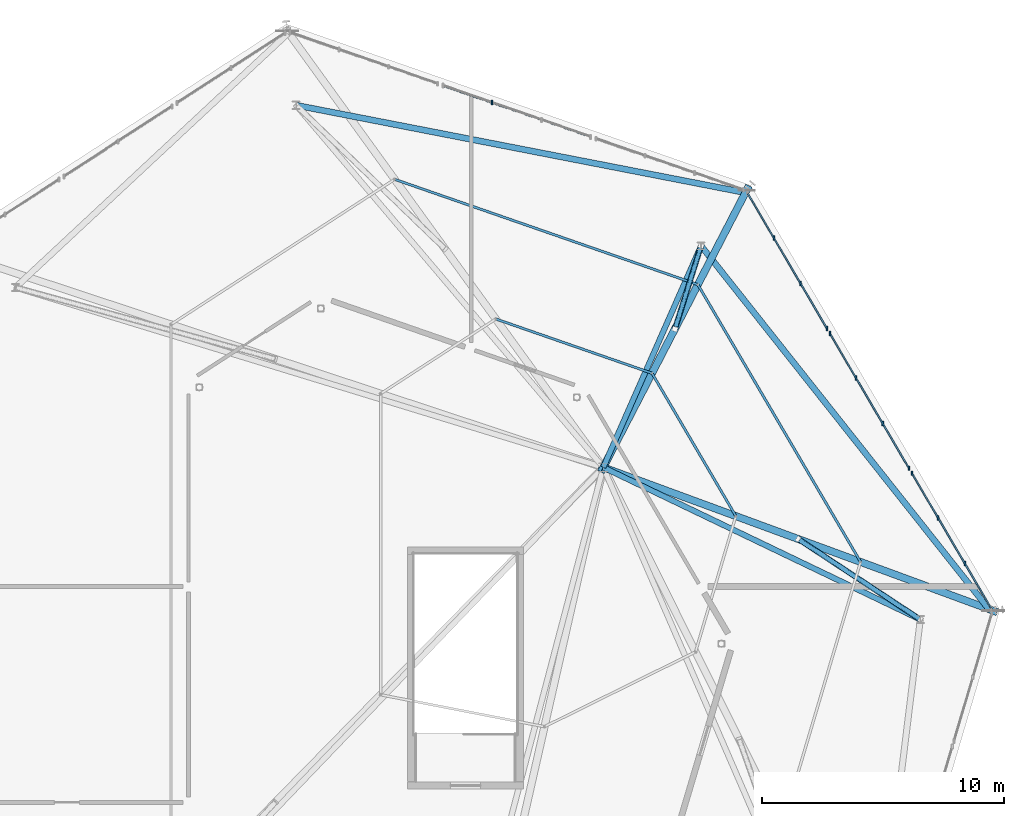
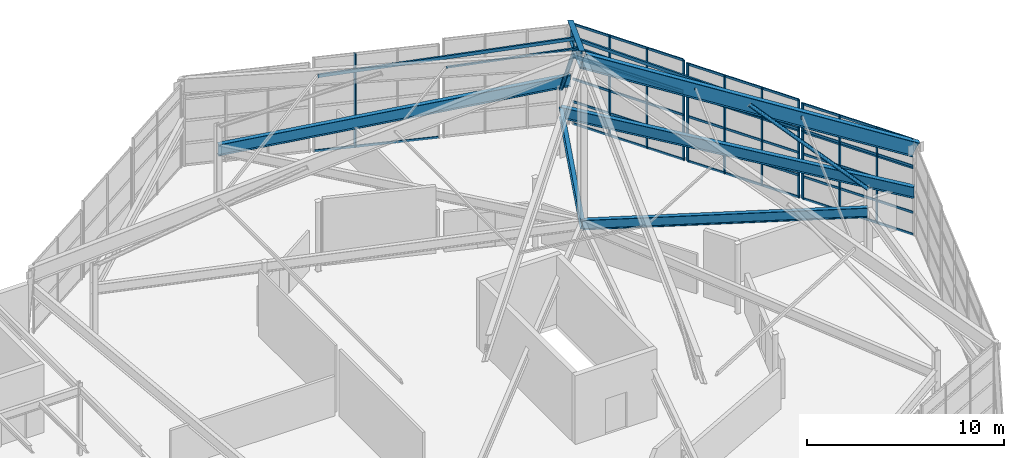
# One storey, part 20 of 50: 47 members, 6 beams, 8 elements without a shape of their own.
"""IFC4 building model written with IfcOpenShell, lengths in metres."""

from ifc_helpers import new_model, si_unit, direction, frame, origin, origin_2d, place, context, subcontext, project, spatial, rectangle, hollow_rectangle, hollow_circle, i_section, extrude, material, material_profile, profile_set, type_object, element, aggregate, save


model = new_model("IFC4")

# Units and contexts
model_context = context("Model", 3, precision=1e-05, world=origin(), true_north=direction((0.0, 1.0)))
body_context = subcontext(model_context, "Body", "Model", "MODEL_VIEW")
ifc_project = project(units=[si_unit("LENGTHUNIT", "METRE"), si_unit("AREAUNIT", "SQUARE_METRE"), si_unit("VOLUMEUNIT", "CUBIC_METRE"), si_unit("PLANEANGLEUNIT", "RADIAN"), si_unit("MASSUNIT", "GRAM", prefix="KILO")], contexts=[model_context])

# Site, building, storey
site_placement = place(None, origin())
site = spatial("IfcSite", under=ifc_project, at=site_placement, CompositionType="ELEMENT")
building_placement = place(site_placement, origin())
building = spatial("IfcBuilding", under=site, at=building_placement, Name="Sarnbrook Museum", CompositionType="ELEMENT")
storey_placement = place(building_placement, frame((0.0, 0.0, 28.10009765625)))
storey = spatial("IfcBuildingStorey", under=building, at=storey_placement, Name="L05", CompositionType="ELEMENT", Elevation=28.10009765625)

# Beams
ifc_material_1 = material(Name="Structural Steel Grade 300PLUS (AS/NZS 3679.1, fy = 280 MPa for 17 < t <= 40 mm, 300 MPa for t <= 17 mm)", Category="steel")
ifc_material_profile_1 = material_profile(ifc_material_1, i_section(OverallWidth=0.22802734375, OverallDepth=0.60693359375, WebThickness=0.01123046875, FlangeThickness=0.017333984375, FilletRadius=0.013916015625, at=origin_2d()), Name="610UB113")
ifc_profile_set_1 = profile_set([ifc_material_profile_1], Name="Structural Steel Grade 300PLUS (AS/NZS 3679.1, fy = 280 MPa for 17 < t <= 40 mm, 300 MPa for t <= 17 mm)")
beam_type_1 = type_object("IfcBeamType", Name="BM-UB610", PredefinedType="BEAM", material=ifc_profile_set_1)
beam_1_placement = place(storey_placement, frame((162.606689453125, 87.21044921875, 2.75), z_axis=(-0.90156760284, 0.43263825248, 0.0), x_axis=(-0.43263825248, -0.90156760284, 0.0)))
element("IfcBeam", 1, at=beam_1_placement, inside=storey, type_object=beam_type_1, Name="Crystal Roof Hub Tie Girder ST-4", PredefinedType="BEAM", context=body_context, shape_type="SweptSolid", body=[
    extrude(i_section(OverallWidth=0.22802734375, OverallDepth=0.60693359375, WebThickness=0.01123046875, FlangeThickness=0.017333984375, FilletRadius=0.013916015625, at=origin_2d()), origin(), (0.0, 0.0, 1.0), 14.53759765625),
])
beam_2_placement = place(storey_placement, frame((153.543701171875, 102.656982421875, 2.75), z_axis=(-0.403962631013, -0.914775487617, 0.0), x_axis=(0.914775487617, -0.403962631013, 0.0)))
element("IfcBeam", 2, at=beam_2_placement, inside=storey, type_object=beam_type_1, Name="Crystal Roof Hub Tie Girder ST-5", PredefinedType="BEAM", context=body_context, shape_type="SweptSolid", body=[
    extrude(i_section(OverallWidth=0.22802734375, OverallDepth=0.60693359375, WebThickness=0.01123046875, FlangeThickness=0.017333984375, FilletRadius=0.013916015625, at=origin_2d()), origin(), (0.0, 0.0, 1.0), 10.010009765625),
])
ifc_material_2 = material(Name="Structural Steel Grade 350L0 (AS/NZS 3678, fy = 340 MPa for 20 < t <= 40 mm)", Category="steel")
ifc_material_profile_2 = material_profile(ifc_material_2, i_section(OverallWidth=0.25, OverallDepth=0.699951171875, WebThickness=0.010009765625, FlangeThickness=0.01611328125, at=origin_2d()), Name="700WB130")
ifc_profile_set_2 = profile_set([ifc_material_profile_2], Name="Structural Steel Grade 350L0 (AS/NZS 3678, fy = 340 MPa for 20 < t <= 40 mm)")
beam_type_2 = type_object("IfcBeamType", Name="BM-WB700", PredefinedType="BEAM", material=ifc_profile_set_2)
beam_3_placement = place(storey_placement, frame((165.50244140625, 87.5625, 2.75), z_axis=(-0.620988332557, 0.783819807627, 0.0), x_axis=(-0.783819807627, -0.620988332557, 0.0)))
element("IfcBeam", 3, at=beam_3_placement, inside=storey, type_object=beam_type_2, Name="Crystal Roof Eaves Tie Girder ST-4", PredefinedType="BEAM", context=body_context, shape_type="SweptSolid", body=[
    extrude(i_section(OverallWidth=0.25, OverallDepth=0.699951171875, WebThickness=0.010009765625, FlangeThickness=0.01611328125, at=origin_2d()), origin(), (0.0, 0.0, 1.0), 19.257568359375),
])
beam_4_placement = place(storey_placement, frame((155.352783203125, 104.861328125, 2.75), z_axis=(-0.981601131832, 0.190942970508, 0.0), x_axis=(-0.190942970508, -0.981601131832, 0.0)))
element("IfcBeam", 4, at=beam_4_placement, inside=storey, type_object=beam_type_2, Name="Crystal Roof Eaves Tie Girder ST-5", PredefinedType="BEAM", context=body_context, shape_type="SweptSolid", body=[
    extrude(i_section(OverallWidth=0.25, OverallDepth=0.699951171875, WebThickness=0.010009765625, FlangeThickness=0.01611328125, at=origin_2d()), origin(), (0.0, 0.0, 1.0), 18.896484375),
])
ifc_material_profile_3 = material_profile(ifc_material_2, i_section(OverallWidth=0.300048828125, OverallDepth=0.89990234375, WebThickness=0.011962890625, FlangeThickness=0.02001953125, at=origin_2d()), Name="900WB175")
ifc_profile_set_3 = profile_set([ifc_material_profile_3], Name="Structural Steel Grade 350L0 (AS/NZS 3678, fy = 340 MPa for 20 < t <= 40 mm)")
beam_type_3 = type_object("IfcBeamType", Name="BM-WB900", PredefinedType="BEAM", material=ifc_profile_set_3)
beam_5_placement = place(storey_placement, frame((165.616455078125, 87.576416015625, 5.369873046875), z_axis=(-0.859214751386, 0.315803364684, 0.402514901407), x_axis=(-0.344984411571, -0.938608414501, 0.0)))
element("IfcBeam", 5, at=beam_5_placement, inside=storey, type_object=beam_type_3, Name="Crystal Sawtooth Roof Rafter ST-4", PredefinedType="BEAM", context=body_context, shape_type="SweptSolid", body=[
    extrude(i_section(OverallWidth=0.300048828125, OverallDepth=0.89990234375, WebThickness=0.011962890625, FlangeThickness=0.02001953125, at=origin_2d()), origin(), (0.0, 0.0, 1.0), 18.757080078125),
])
beam_6_placement = place(storey_placement, frame((155.423828125, 104.9482421875, 5.81982421875), z_axis=(-0.402538976369, -0.777936765573, 0.482469440766), x_axis=(0.888144074129, -0.459565124428, 0.0)))
element("IfcBeam", 6, at=beam_6_placement, inside=storey, type_object=beam_type_3, Name="Crystal Sawtooth Roof Rafter ST-5", PredefinedType="BEAM", context=body_context, shape_type="SweptSolid", body=[
    extrude(i_section(OverallWidth=0.300048828125, OverallDepth=0.89990234375, WebThickness=0.011962890625, FlangeThickness=0.02001953125, at=origin_2d()), origin(), (0.0, 0.0, 1.0), 14.716064453125),
])

# Curtain wall, members
ifc_material_3 = material(Name="Thermally Broken Anodised Aluminium 6063-T6", Category="aluminium")
curtain_wall_type_1 = type_object("IfcCurtainWallType", Name="CurtainWall_CrystalFacet", PredefinedType="NOTDEFINED", material=ifc_material_3)
curtain_wall_1_placement = place(storey_placement, origin())
curtain_wall_1 = element("IfcCurtainWall", 7, at=curtain_wall_1_placement, inside=storey, type_object=curtain_wall_type_1, Name="Crystal Hall Facet Curtain Wall L05-F4.1", PredefinedType="NOTDEFINED")
ifc_material_profile_4 = material_profile(ifc_material_3, rectangle(XDim=0.06494140625, YDim=0.179931640625, at=origin_2d()), Name="ALU MULLION 65x180")
ifc_profile_set_4 = profile_set([ifc_material_profile_4], Name="Thermally Broken Anodised Aluminium 6063-T6")
member_type_1 = type_object("IfcMemberType", Name="CW_Mullion_180x75", PredefinedType="MULLION", material=ifc_profile_set_4)
member_1_placement = place(storey_placement, frame((164.447265625, 89.52490234375, 0.0), z_axis=(0.0, 0.0, 1.0), x_axis=(1.0, 0.0, 0.0)))
member_1 = element("IfcMember", 8, at=member_1_placement, type_object=member_type_1, Name="Crystal Hall Facet Curtain Wall L05-F4.1 Mullion 2", PredefinedType="MULLION", context=body_context, shape_type="SweptSolid", body=[
    extrude(rectangle(XDim=0.06494140625, YDim=0.179931640625, at=origin_2d()), origin(), (0.0, 0.0, 1.0), 4.199951171875),
])
member_2_placement = place(storey_placement, frame((163.3427734375, 91.407470703125, 0.0), z_axis=(0.0, 0.0, 1.0), x_axis=(1.0, 0.0, 0.0)))
member_2 = element("IfcMember", 9, at=member_2_placement, type_object=member_type_1, Name="Crystal Hall Facet Curtain Wall L05-F4.1 Mullion 3", PredefinedType="MULLION", context=body_context, shape_type="SweptSolid", body=[
    extrude(rectangle(XDim=0.06494140625, YDim=0.179931640625, at=origin_2d()), origin(), (0.0, 0.0, 1.0), 4.199951171875),
])
member_3_placement = place(storey_placement, frame((162.25830078125, 93.25537109375, 0.0), z_axis=(0.0, 0.0, 1.0), x_axis=(1.0, 0.0, 0.0)))
member_3 = element("IfcMember", 10, at=member_3_placement, type_object=member_type_1, Name="Crystal Hall Facet Curtain Wall L05-F4.1 Mullion 4", PredefinedType="MULLION", context=body_context, shape_type="SweptSolid", body=[
    extrude(rectangle(XDim=0.06494140625, YDim=0.179931640625, at=origin_2d()), origin(), (0.0, 0.0, 1.0), 4.199951171875),
])

curtain_wall_type_2 = type_object("IfcCurtainWallType", Name="CurtainWall_Sawtooth", PredefinedType="NOTDEFINED", material=ifc_material_3)
curtain_wall_2_placement = place(storey_placement, origin())
curtain_wall_2 = element("IfcCurtainWall", 11, at=curtain_wall_2_placement, inside=storey, type_object=curtain_wall_type_2, Name="Crystal Roof Folded Eaves Clerestory 5", PredefinedType="NOTDEFINED")
member_4_placement = place(storey_placement, frame((164.447265625, 89.52490234375, 4.219970703125), z_axis=(0.0, 0.0, 1.0), x_axis=(1.0, 0.0, 0.0)))
member_4 = element("IfcMember", 12, at=member_4_placement, type_object=member_type_1, Name="Crystal Roof Folded Eaves Clerestory 5 Mullion 2", PredefinedType="MULLION", context=body_context, shape_type="SweptSolid", body=[
    extrude(rectangle(XDim=0.06494140625, YDim=0.179931640625, at=origin_2d()), origin(), (0.0, 0.0, 1.0), 1.7099609375),
])
member_5_placement = place(storey_placement, frame((163.3427734375, 91.407470703125, 4.219970703125), z_axis=(0.0, 0.0, 1.0), x_axis=(1.0, 0.0, 0.0)))
member_5 = element("IfcMember", 13, at=member_5_placement, type_object=member_type_1, Name="Crystal Roof Folded Eaves Clerestory 5 Mullion 3", PredefinedType="MULLION", context=body_context, shape_type="SweptSolid", body=[
    extrude(rectangle(XDim=0.06494140625, YDim=0.179931640625, at=origin_2d()), origin(), (0.0, 0.0, 1.0), 1.7099609375),
])
member_6_placement = place(storey_placement, frame((162.25830078125, 93.25537109375, 4.219970703125), z_axis=(0.0, 0.0, 1.0), x_axis=(1.0, 0.0, 0.0)))
member_6 = element("IfcMember", 14, at=member_6_placement, type_object=member_type_1, Name="Crystal Roof Folded Eaves Clerestory 5 Mullion 4", PredefinedType="MULLION", context=body_context, shape_type="SweptSolid", body=[
    extrude(rectangle(XDim=0.06494140625, YDim=0.179931640625, at=origin_2d()), origin(), (0.0, 0.0, 1.0), 1.7099609375),
])

curtain_wall_3_placement = place(storey_placement, origin())
curtain_wall_3 = element("IfcCurtainWall", 15, at=curtain_wall_3_placement, inside=storey, type_object=curtain_wall_type_1, Name="Crystal Hall Facet Curtain Wall L05-F4.2", PredefinedType="NOTDEFINED")
member_7_placement = place(storey_placement, frame((162.136962890625, 93.46240234375, 0.0), z_axis=(0.0, 0.0, 1.0), x_axis=(1.0, 0.0, 0.0)))
member_7 = element("IfcMember", 16, at=member_7_placement, type_object=member_type_1, Name="Crystal Hall Facet Curtain Wall L05-F4.2 Mullion 1", PredefinedType="MULLION", context=body_context, shape_type="SweptSolid", body=[
    extrude(rectangle(XDim=0.06494140625, YDim=0.179931640625, at=origin_2d()), origin(), (0.0, 0.0, 1.0), 4.199951171875),
])
member_8_placement = place(storey_placement, frame((161.052734375, 95.310302734375, 0.0), z_axis=(0.0, 0.0, 1.0), x_axis=(1.0, 0.0, 0.0)))
member_8 = element("IfcMember", 17, at=member_8_placement, type_object=member_type_1, Name="Crystal Hall Facet Curtain Wall L05-F4.2 Mullion 2", PredefinedType="MULLION", context=body_context, shape_type="SweptSolid", body=[
    extrude(rectangle(XDim=0.06494140625, YDim=0.179931640625, at=origin_2d()), origin(), (0.0, 0.0, 1.0), 4.199951171875),
])
member_9_placement = place(storey_placement, frame((159.9482421875, 97.19287109375, 0.0), z_axis=(0.0, 0.0, 1.0), x_axis=(1.0, 0.0, 0.0)))
member_9 = element("IfcMember", 18, at=member_9_placement, type_object=member_type_1, Name="Crystal Hall Facet Curtain Wall L05-F4.2 Mullion 3", PredefinedType="MULLION", context=body_context, shape_type="SweptSolid", body=[
    extrude(rectangle(XDim=0.06494140625, YDim=0.179931640625, at=origin_2d()), origin(), (0.0, 0.0, 1.0), 4.199951171875),
])
member_10_placement = place(storey_placement, frame((158.864013671875, 99.040771484375, 0.0), z_axis=(0.0, 0.0, 1.0), x_axis=(1.0, 0.0, 0.0)))
member_10 = element("IfcMember", 19, at=member_10_placement, type_object=member_type_1, Name="Crystal Hall Facet Curtain Wall L05-F4.2 Mullion 4", PredefinedType="MULLION", context=body_context, shape_type="SweptSolid", body=[
    extrude(rectangle(XDim=0.06494140625, YDim=0.179931640625, at=origin_2d()), origin(), (0.0, 0.0, 1.0), 4.199951171875),
])

curtain_wall_4_placement = place(storey_placement, origin())
curtain_wall_4 = element("IfcCurtainWall", 20, at=curtain_wall_4_placement, inside=storey, type_object=curtain_wall_type_2, Name="Crystal Roof Folded Eaves Clerestory 6", PredefinedType="NOTDEFINED")
member_11_placement = place(storey_placement, frame((162.136962890625, 93.46240234375, 4.219970703125), z_axis=(0.0, 0.0, 1.0), x_axis=(1.0, 0.0, 0.0)))
member_11 = element("IfcMember", 21, at=member_11_placement, type_object=member_type_1, Name="Crystal Roof Folded Eaves Clerestory 6 Mullion 1", PredefinedType="MULLION", context=body_context, shape_type="SweptSolid", body=[
    extrude(rectangle(XDim=0.06494140625, YDim=0.179931640625, at=origin_2d()), origin(), (0.0, 0.0, 1.0), 1.85986328125),
])
member_12_placement = place(storey_placement, frame((161.052734375, 95.310302734375, 4.219970703125), z_axis=(0.0, 0.0, 1.0), x_axis=(1.0, 0.0, 0.0)))
member_12 = element("IfcMember", 22, at=member_12_placement, type_object=member_type_1, Name="Crystal Roof Folded Eaves Clerestory 6 Mullion 2", PredefinedType="MULLION", context=body_context, shape_type="SweptSolid", body=[
    extrude(rectangle(XDim=0.06494140625, YDim=0.179931640625, at=origin_2d()), origin(), (0.0, 0.0, 1.0), 1.85986328125),
])
member_13_placement = place(storey_placement, frame((159.9482421875, 97.19287109375, 4.219970703125), z_axis=(0.0, 0.0, 1.0), x_axis=(1.0, 0.0, 0.0)))
member_13 = element("IfcMember", 23, at=member_13_placement, type_object=member_type_1, Name="Crystal Roof Folded Eaves Clerestory 6 Mullion 3", PredefinedType="MULLION", context=body_context, shape_type="SweptSolid", body=[
    extrude(rectangle(XDim=0.06494140625, YDim=0.179931640625, at=origin_2d()), origin(), (0.0, 0.0, 1.0), 1.85986328125),
])
member_14_placement = place(storey_placement, frame((158.864013671875, 99.040771484375, 4.219970703125), z_axis=(0.0, 0.0, 1.0), x_axis=(1.0, 0.0, 0.0)))
member_14 = element("IfcMember", 24, at=member_14_placement, type_object=member_type_1, Name="Crystal Roof Folded Eaves Clerestory 6 Mullion 4", PredefinedType="MULLION", context=body_context, shape_type="SweptSolid", body=[
    extrude(rectangle(XDim=0.06494140625, YDim=0.179931640625, at=origin_2d()), origin(), (0.0, 0.0, 1.0), 1.85986328125),
])

curtain_wall_5_placement = place(storey_placement, origin())
curtain_wall_5 = element("IfcCurtainWall", 25, at=curtain_wall_5_placement, inside=storey, type_object=curtain_wall_type_1, Name="Crystal Hall Facet Curtain Wall L05-F4.3", PredefinedType="NOTDEFINED")
member_15_placement = place(storey_placement, frame((158.742431640625, 99.247802734375, 0.0), z_axis=(0.0, 0.0, 1.0), x_axis=(1.0, 0.0, 0.0)))
member_15 = element("IfcMember", 26, at=member_15_placement, type_object=member_type_1, Name="Crystal Hall Facet Curtain Wall L05-F4.3 Mullion 1", PredefinedType="MULLION", context=body_context, shape_type="SweptSolid", body=[
    extrude(rectangle(XDim=0.06494140625, YDim=0.179931640625, at=origin_2d()), origin(), (0.0, 0.0, 1.0), 4.199951171875),
])
member_16_placement = place(storey_placement, frame((157.658203125, 101.095703125, 0.0), z_axis=(0.0, 0.0, 1.0), x_axis=(1.0, 0.0, 0.0)))
member_16 = element("IfcMember", 27, at=member_16_placement, type_object=member_type_1, Name="Crystal Hall Facet Curtain Wall L05-F4.3 Mullion 2", PredefinedType="MULLION", context=body_context, shape_type="SweptSolid", body=[
    extrude(rectangle(XDim=0.06494140625, YDim=0.179931640625, at=origin_2d()), origin(), (0.0, 0.0, 1.0), 4.199951171875),
])
member_17_placement = place(storey_placement, frame((156.5537109375, 102.978271484375, 0.0), z_axis=(0.0, 0.0, 1.0), x_axis=(1.0, 0.0, 0.0)))
member_17 = element("IfcMember", 28, at=member_17_placement, type_object=member_type_1, Name="Crystal Hall Facet Curtain Wall L05-F4.3 Mullion 3", PredefinedType="MULLION", context=body_context, shape_type="SweptSolid", body=[
    extrude(rectangle(XDim=0.06494140625, YDim=0.179931640625, at=origin_2d()), origin(), (0.0, 0.0, 1.0), 4.199951171875),
])

curtain_wall_6_placement = place(storey_placement, origin())
curtain_wall_6 = element("IfcCurtainWall", 29, at=curtain_wall_6_placement, inside=storey, type_object=curtain_wall_type_2, Name="Crystal Roof Folded Eaves Clerestory 7", PredefinedType="NOTDEFINED")
member_18_placement = place(storey_placement, frame((158.742431640625, 99.247802734375, 4.219970703125), z_axis=(0.0, 0.0, 1.0), x_axis=(1.0, 0.0, 0.0)))
member_18 = element("IfcMember", 30, at=member_18_placement, type_object=member_type_1, Name="Crystal Roof Folded Eaves Clerestory 7 Mullion 1", PredefinedType="MULLION", context=body_context, shape_type="SweptSolid", body=[
    extrude(rectangle(XDim=0.06494140625, YDim=0.179931640625, at=origin_2d()), origin(), (0.0, 0.0, 1.0), 2.010009765625),
])
member_19_placement = place(storey_placement, frame((157.658203125, 101.095703125, 4.219970703125), z_axis=(0.0, 0.0, 1.0), x_axis=(1.0, 0.0, 0.0)))
member_19 = element("IfcMember", 31, at=member_19_placement, type_object=member_type_1, Name="Crystal Roof Folded Eaves Clerestory 7 Mullion 2", PredefinedType="MULLION", context=body_context, shape_type="SweptSolid", body=[
    extrude(rectangle(XDim=0.06494140625, YDim=0.179931640625, at=origin_2d()), origin(), (0.0, 0.0, 1.0), 2.010009765625),
])
member_20_placement = place(storey_placement, frame((156.5537109375, 102.978271484375, 4.219970703125), z_axis=(0.0, 0.0, 1.0), x_axis=(1.0, 0.0, 0.0)))
member_20 = element("IfcMember", 32, at=member_20_placement, type_object=member_type_1, Name="Crystal Roof Folded Eaves Clerestory 7 Mullion 3", PredefinedType="MULLION", context=body_context, shape_type="SweptSolid", body=[
    extrude(rectangle(XDim=0.06494140625, YDim=0.179931640625, at=origin_2d()), origin(), (0.0, 0.0, 1.0), 2.010009765625),
])

# Curtain wall, member
curtain_wall_7_placement = place(storey_placement, origin())
curtain_wall_7 = element("IfcCurtainWall", 33, at=curtain_wall_7_placement, inside=storey, type_object=curtain_wall_type_1, Name="Crystal Hall Facet Curtain Wall L05-F5.2", PredefinedType="NOTDEFINED")
member_21_placement = place(storey_placement, frame((144.892578125, 108.581298828125, 0.0), z_axis=(0.0, 0.0, 1.0), x_axis=(1.0, 0.0, 0.0)))
member_21 = element("IfcMember", 34, at=member_21_placement, type_object=member_type_1, Name="Crystal Hall Facet Curtain Wall L05-F5.2 Mullion 3", PredefinedType="MULLION", context=body_context, shape_type="SweptSolid", body=[
    extrude(rectangle(XDim=0.06494140625, YDim=0.179931640625, at=origin_2d()), origin(), (0.0, 0.0, 1.0), 4.199951171875),
])

curtain_wall_8_placement = place(storey_placement, origin())
curtain_wall_8 = element("IfcCurtainWall", 35, at=curtain_wall_8_placement, inside=storey, type_object=curtain_wall_type_2, Name="Crystal Roof Folded Eaves Clerestory 9", PredefinedType="NOTDEFINED")
member_22_placement = place(storey_placement, frame((144.892578125, 108.581298828125, 4.219970703125), z_axis=(0.0, 0.0, 1.0), x_axis=(1.0, 0.0, 0.0)))
member_22 = element("IfcMember", 36, at=member_22_placement, type_object=member_type_1, Name="Crystal Roof Folded Eaves Clerestory 9 Mullion 3", PredefinedType="MULLION", context=body_context, shape_type="SweptSolid", body=[
    extrude(rectangle(XDim=0.06494140625, YDim=0.179931640625, at=origin_2d()), origin(), (0.0, 0.0, 1.0), 1.593017578125),
])
aggregate(curtain_wall_8, [member_22])

# Member
ifc_material_profile_5 = material_profile(ifc_material_3, rectangle(XDim=0.06494140625, YDim=0.139892578125, at=origin_2d()), Name="ALU TRANSOM 65x140")
ifc_profile_set_5 = profile_set([ifc_material_profile_5], Name="Thermally Broken Anodised Aluminium 6063-T6")
member_type_2 = type_object("IfcMemberType", Name="CW_Transom_150x65", PredefinedType="USERDEFINED", material=ifc_profile_set_5)
member_23_placement = place(storey_placement, frame((165.5263671875, 87.685546875, 0.039794921875), z_axis=(-0.506068320785, 0.862493394002, 0.0), x_axis=(-0.862493394002, -0.506068320785, 0.0)))
member_23 = element("IfcMember", 37, at=member_23_placement, type_object=member_type_2, Name="Crystal Hall Facet Curtain Wall L05-F4.1 Transom 1", ObjectType="TRANSOM", PredefinedType="USERDEFINED", context=body_context, shape_type="SweptSolid", body=[
    extrude(rectangle(XDim=0.06494140625, YDim=0.139892578125, at=origin_2d()), origin(), (0.0, 0.0, 1.0), 6.447509765625),
])

member_24_placement = place(storey_placement, frame((165.5263671875, 87.685546875, 1.39990234375), z_axis=(-0.506068320785, 0.862493394002, 0.0), x_axis=(-0.862493394002, -0.506068320785, 0.0)))
member_24 = element("IfcMember", 38, at=member_24_placement, type_object=member_type_2, Name="Crystal Hall Facet Curtain Wall L05-F4.1 Transom 2", ObjectType="TRANSOM", PredefinedType="USERDEFINED", context=body_context, shape_type="SweptSolid", body=[
    extrude(rectangle(XDim=0.06494140625, YDim=0.139892578125, at=origin_2d()), origin(), (0.0, 0.0, 1.0), 6.447509765625),
])

member_25_placement = place(storey_placement, frame((165.5263671875, 87.685546875, 2.7998046875), z_axis=(-0.506068320785, 0.862493394002, 0.0), x_axis=(-0.862493394002, -0.506068320785, 0.0)))
member_25 = element("IfcMember", 39, at=member_25_placement, type_object=member_type_2, Name="Crystal Hall Facet Curtain Wall L05-F4.1 Transom 3", ObjectType="TRANSOM", PredefinedType="USERDEFINED", context=body_context, shape_type="SweptSolid", body=[
    extrude(rectangle(XDim=0.06494140625, YDim=0.139892578125, at=origin_2d()), origin(), (0.0, 0.0, 1.0), 6.447509765625),
])

member_26_placement = place(storey_placement, frame((165.5263671875, 87.685546875, 4.159912109375), z_axis=(-0.506068320785, 0.862493394002, 0.0), x_axis=(-0.862493394002, -0.506068320785, 0.0)))
member_26 = element("IfcMember", 40, at=member_26_placement, type_object=member_type_2, Name="Crystal Hall Facet Curtain Wall L05-F4.1 Transom 4", ObjectType="TRANSOM", PredefinedType="USERDEFINED", context=body_context, shape_type="SweptSolid", body=[
    extrude(rectangle(XDim=0.06494140625, YDim=0.139892578125, at=origin_2d()), origin(), (0.0, 0.0, 1.0), 6.447509765625),
])

aggregate(curtain_wall_1, [member_1, member_2, member_3, member_23, member_24, member_25, member_26])

member_27_placement = place(storey_placement, frame((165.5263671875, 87.685546875, 4.260009765625), z_axis=(-0.506068320785, 0.862493394002, 0.0), x_axis=(-0.862493394002, -0.506068320785, 0.0)))
member_27 = element("IfcMember", 41, at=member_27_placement, type_object=member_type_2, Name="Crystal Roof Folded Eaves Clerestory 5 Transom 1", ObjectType="TRANSOM", PredefinedType="USERDEFINED", context=body_context, shape_type="SweptSolid", body=[
    extrude(rectangle(XDim=0.06494140625, YDim=0.139892578125, at=origin_2d()), origin(), (0.0, 0.0, 1.0), 6.447509765625),
])

member_28_placement = place(storey_placement, frame((165.5263671875, 87.685546875, 5.889892578125), z_axis=(-0.506068320785, 0.862493394002, 0.0), x_axis=(-0.862493394002, -0.506068320785, 0.0)))
member_28 = element("IfcMember", 42, at=member_28_placement, type_object=member_type_2, Name="Crystal Roof Folded Eaves Clerestory 5 Transom 2", ObjectType="TRANSOM", PredefinedType="USERDEFINED", context=body_context, shape_type="SweptSolid", body=[
    extrude(rectangle(XDim=0.06494140625, YDim=0.139892578125, at=origin_2d()), origin(), (0.0, 0.0, 1.0), 6.447509765625),
])

aggregate(curtain_wall_2, [member_4, member_5, member_6, member_27, member_28])

member_29_placement = place(storey_placement, frame((162.1318359375, 93.470947265625, 0.039794921875), z_axis=(-0.506068320785, 0.862493394002, 0.0), x_axis=(-0.862493394002, -0.506068320785, 0.0)))
member_29 = element("IfcMember", 43, at=member_29_placement, type_object=member_type_2, Name="Crystal Hall Facet Curtain Wall L05-F4.2 Transom 1", ObjectType="TRANSOM", PredefinedType="USERDEFINED", context=body_context, shape_type="SweptSolid", body=[
    extrude(rectangle(XDim=0.06494140625, YDim=0.139892578125, at=origin_2d()), origin(), (0.0, 0.0, 1.0), 6.447509765625),
])

member_30_placement = place(storey_placement, frame((162.1318359375, 93.470947265625, 1.39990234375), z_axis=(-0.506068320785, 0.862493394002, 0.0), x_axis=(-0.862493394002, -0.506068320785, 0.0)))
member_30 = element("IfcMember", 44, at=member_30_placement, type_object=member_type_2, Name="Crystal Hall Facet Curtain Wall L05-F4.2 Transom 2", ObjectType="TRANSOM", PredefinedType="USERDEFINED", context=body_context, shape_type="SweptSolid", body=[
    extrude(rectangle(XDim=0.06494140625, YDim=0.139892578125, at=origin_2d()), origin(), (0.0, 0.0, 1.0), 6.447509765625),
])

member_31_placement = place(storey_placement, frame((162.1318359375, 93.470947265625, 2.7998046875), z_axis=(-0.506068320785, 0.862493394002, 0.0), x_axis=(-0.862493394002, -0.506068320785, 0.0)))
member_31 = element("IfcMember", 45, at=member_31_placement, type_object=member_type_2, Name="Crystal Hall Facet Curtain Wall L05-F4.2 Transom 3", ObjectType="TRANSOM", PredefinedType="USERDEFINED", context=body_context, shape_type="SweptSolid", body=[
    extrude(rectangle(XDim=0.06494140625, YDim=0.139892578125, at=origin_2d()), origin(), (0.0, 0.0, 1.0), 6.447509765625),
])

member_32_placement = place(storey_placement, frame((162.1318359375, 93.470947265625, 4.159912109375), z_axis=(-0.506068320785, 0.862493394002, 0.0), x_axis=(-0.862493394002, -0.506068320785, 0.0)))
member_32 = element("IfcMember", 46, at=member_32_placement, type_object=member_type_2, Name="Crystal Hall Facet Curtain Wall L05-F4.2 Transom 4", ObjectType="TRANSOM", PredefinedType="USERDEFINED", context=body_context, shape_type="SweptSolid", body=[
    extrude(rectangle(XDim=0.06494140625, YDim=0.139892578125, at=origin_2d()), origin(), (0.0, 0.0, 1.0), 6.447509765625),
])

aggregate(curtain_wall_3, [member_7, member_8, member_9, member_10, member_29, member_30, member_31, member_32])

member_33_placement = place(storey_placement, frame((162.1318359375, 93.470947265625, 4.260009765625), z_axis=(-0.506068320785, 0.862493394002, 0.0), x_axis=(-0.862493394002, -0.506068320785, 0.0)))
member_33 = element("IfcMember", 47, at=member_33_placement, type_object=member_type_2, Name="Crystal Roof Folded Eaves Clerestory 6 Transom 1", ObjectType="TRANSOM", PredefinedType="USERDEFINED", context=body_context, shape_type="SweptSolid", body=[
    extrude(rectangle(XDim=0.06494140625, YDim=0.139892578125, at=origin_2d()), origin(), (0.0, 0.0, 1.0), 6.447509765625),
])

member_34_placement = place(storey_placement, frame((162.1318359375, 93.470947265625, 6.039794921875), z_axis=(-0.506068320785, 0.862493394002, 0.0), x_axis=(-0.862493394002, -0.506068320785, 0.0)))
member_34 = element("IfcMember", 48, at=member_34_placement, type_object=member_type_2, Name="Crystal Roof Folded Eaves Clerestory 6 Transom 2", ObjectType="TRANSOM", PredefinedType="USERDEFINED", context=body_context, shape_type="SweptSolid", body=[
    extrude(rectangle(XDim=0.06494140625, YDim=0.139892578125, at=origin_2d()), origin(), (0.0, 0.0, 1.0), 6.447509765625),
])

aggregate(curtain_wall_4, [member_11, member_12, member_13, member_14, member_33, member_34])

member_35_placement = place(storey_placement, frame((158.7373046875, 99.25634765625, 0.039794921875), z_axis=(-0.506023625564, 0.862519617384, 0.0), x_axis=(-0.862519617384, -0.506023625564, 0.0)))
member_35 = element("IfcMember", 49, at=member_35_placement, type_object=member_type_2, Name="Crystal Hall Facet Curtain Wall L05-F4.3 Transom 1", ObjectType="TRANSOM", PredefinedType="USERDEFINED", context=body_context, shape_type="SweptSolid", body=[
    extrude(rectangle(XDim=0.06494140625, YDim=0.139892578125, at=origin_2d()), origin(), (0.0, 0.0, 1.0), 6.44775390625),
])

member_36_placement = place(storey_placement, frame((158.7373046875, 99.25634765625, 1.39990234375), z_axis=(-0.506023625564, 0.862519617384, 0.0), x_axis=(-0.862519617384, -0.506023625564, 0.0)))
member_36 = element("IfcMember", 50, at=member_36_placement, type_object=member_type_2, Name="Crystal Hall Facet Curtain Wall L05-F4.3 Transom 2", ObjectType="TRANSOM", PredefinedType="USERDEFINED", context=body_context, shape_type="SweptSolid", body=[
    extrude(rectangle(XDim=0.06494140625, YDim=0.139892578125, at=origin_2d()), origin(), (0.0, 0.0, 1.0), 6.44775390625),
])

member_37_placement = place(storey_placement, frame((158.7373046875, 99.25634765625, 2.7998046875), z_axis=(-0.506023625564, 0.862519617384, 0.0), x_axis=(-0.862519617384, -0.506023625564, 0.0)))
member_37 = element("IfcMember", 51, at=member_37_placement, type_object=member_type_2, Name="Crystal Hall Facet Curtain Wall L05-F4.3 Transom 3", ObjectType="TRANSOM", PredefinedType="USERDEFINED", context=body_context, shape_type="SweptSolid", body=[
    extrude(rectangle(XDim=0.06494140625, YDim=0.139892578125, at=origin_2d()), origin(), (0.0, 0.0, 1.0), 6.44775390625),
])

member_38_placement = place(storey_placement, frame((158.7373046875, 99.25634765625, 4.159912109375), z_axis=(-0.506023625564, 0.862519617384, 0.0), x_axis=(-0.862519617384, -0.506023625564, 0.0)))
member_38 = element("IfcMember", 52, at=member_38_placement, type_object=member_type_2, Name="Crystal Hall Facet Curtain Wall L05-F4.3 Transom 4", ObjectType="TRANSOM", PredefinedType="USERDEFINED", context=body_context, shape_type="SweptSolid", body=[
    extrude(rectangle(XDim=0.06494140625, YDim=0.139892578125, at=origin_2d()), origin(), (0.0, 0.0, 1.0), 6.44775390625),
])

aggregate(curtain_wall_5, [member_15, member_16, member_17, member_35, member_36, member_37, member_38])

member_39_placement = place(storey_placement, frame((158.7373046875, 99.25634765625, 4.260009765625), z_axis=(-0.506023625564, 0.862519617384, 0.0), x_axis=(-0.862519617384, -0.506023625564, 0.0)))
member_39 = element("IfcMember", 53, at=member_39_placement, type_object=member_type_2, Name="Crystal Roof Folded Eaves Clerestory 7 Transom 1", ObjectType="TRANSOM", PredefinedType="USERDEFINED", context=body_context, shape_type="SweptSolid", body=[
    extrude(rectangle(XDim=0.06494140625, YDim=0.139892578125, at=origin_2d()), origin(), (0.0, 0.0, 1.0), 6.44775390625),
])

member_40_placement = place(storey_placement, frame((158.7373046875, 99.25634765625, 6.18994140625), z_axis=(-0.506023625564, 0.862519617384, 0.0), x_axis=(-0.862519617384, -0.506023625564, 0.0)))
member_40 = element("IfcMember", 54, at=member_40_placement, type_object=member_type_2, Name="Crystal Roof Folded Eaves Clerestory 7 Transom 2", ObjectType="TRANSOM", PredefinedType="USERDEFINED", context=body_context, shape_type="SweptSolid", body=[
    extrude(rectangle(XDim=0.06494140625, YDim=0.139892578125, at=origin_2d()), origin(), (0.0, 0.0, 1.0), 6.44775390625),
])

aggregate(curtain_wall_6, [member_18, member_19, member_20, member_39, member_40])

member_41_placement = place(storey_placement, frame((148.961181640625, 107.16845703125, 0.039794921875), z_axis=(-0.944675786716, 0.32800557616, 0.0), x_axis=(-0.32800557616, -0.944675786716, 0.0)))
member_41 = element("IfcMember", 55, at=member_41_placement, type_object=member_type_2, Name="Crystal Hall Facet Curtain Wall L05-F5.2 Transom 1", ObjectType="TRANSOM", PredefinedType="USERDEFINED", context=body_context, shape_type="SweptSolid", body=[
    extrude(rectangle(XDim=0.06494140625, YDim=0.139892578125, at=origin_2d()), origin(), (0.0, 0.0, 1.0), 6.435302734375),
])

aggregate(curtain_wall_7, [member_21, member_41])

# Members
ifc_material_4 = material(Name="Structural Steel Hollow Section Grade C350L0 (AS/NZS 1163, fy = 350 MPa)", Category="steel")
ifc_material_profile_6 = material_profile(ifc_material_4, hollow_circle(Radius=0.109619140625, WallThickness=0.00830078125, at=origin_2d()), Name="219.1x8.2CHS")
ifc_profile_set_6 = profile_set([ifc_material_profile_6], Name="Structural Steel Hollow Section Grade C350L0 (AS/NZS 1163, fy = 350 MPa)")
member_type_3 = type_object("IfcMemberType", Name="MB-CHS219", PredefinedType="BRACE", material=ifc_profile_set_6)
member_42_placement = place(storey_placement, frame((162.606689453125, 87.21044921875, 4.14990234375), z_axis=(-0.643706177566, 0.424281406268, 0.636889036849), x_axis=(-0.550331914549, -0.834945976593, 0.0)))
element("IfcMember", 56, at=member_42_placement, inside=storey, type_object=member_type_3, Name="Crystal Sawtooth Truss Web Strut ST-4", PredefinedType="BRACE", context=body_context, shape_type="SweptSolid", body=[
    extrude(hollow_circle(Radius=0.109619140625, WallThickness=0.00830078125, at=origin_2d()), origin(), (0.0, 0.0, 1.0), 7.843017578125),
])
member_43_placement = place(storey_placement, frame((153.543701171875, 102.656982421875, 4.14990234375), z_axis=(-0.1706134015, -0.541411653915, 0.82326453114), x_axis=(0.953763942742, -0.300556719315, 0.0)))
element("IfcMember", 57, at=member_43_placement, inside=storey, type_object=member_type_3, Name="Crystal Sawtooth Truss Web Strut ST-5", PredefinedType="BRACE", context=body_context, shape_type="SweptSolid", body=[
    extrude(hollow_circle(Radius=0.109619140625, WallThickness=0.00830078125, at=origin_2d()), origin(), (0.0, 0.0, 1.0), 6.340576171875),
])
ifc_material_profile_7 = material_profile(ifc_material_4, hollow_rectangle(XDim=0.10009765625, YDim=0.199951171875, WallThickness=0.008056640625, at=origin_2d()), Name="200x100x8.0RHS")
ifc_profile_set_7 = profile_set([ifc_material_profile_7], Name="Structural Steel Hollow Section Grade C350L0 (AS/NZS 1163, fy = 350 MPa)")
member_type_4 = type_object("IfcMemberType", Name="PR-RHS200", PredefinedType="PURLIN", material=ifc_profile_set_7)
member_44_placement = place(storey_placement, frame((160.136962890625, 89.59033203125, 7.996826171875), z_axis=(-0.505934344563, 0.862282512201, 0.02234520404), x_axis=(-0.86249786519, -0.506060700452, 0.0)))
element("IfcMember", 58, at=member_44_placement, inside=storey, type_object=member_type_4, Name="Crystal Roof Purlin 4-1", PredefinedType="PURLIN", context=body_context, shape_type="SweptSolid", body=[
    extrude(hollow_rectangle(XDim=0.10009765625, YDim=0.199951171875, WallThickness=0.008056640625, at=origin_2d()), origin(), (0.0, 0.0, 1.0), 13.296875),
])
member_45_placement = place(storey_placement, frame((153.40966796875, 101.055908203125, 8.2939453125), z_axis=(-0.943832833581, 0.327711819026, -0.042243886247), x_axis=(-0.328004619367, -0.944676118929, 0.0)))
element("IfcMember", 59, at=member_45_placement, inside=storey, type_object=member_type_4, Name="Crystal Roof Purlin 5-1", PredefinedType="PURLIN", context=body_context, shape_type="SweptSolid", body=[
    extrude(hollow_rectangle(XDim=0.10009765625, YDim=0.199951171875, WallThickness=0.008056640625, at=origin_2d()), origin(), (0.0, 0.0, 1.0), 13.28076171875),
])
ifc_material_profile_8 = material_profile(ifc_material_4, hollow_rectangle(XDim=0.10009765625, YDim=0.10009765625, WallThickness=0.006103515625, at=origin_2d()), Name="100x100x6.0SHS")
ifc_profile_set_8 = profile_set([ifc_material_profile_8], Name="Structural Steel Hollow Section Grade C350L0 (AS/NZS 1163, fy = 350 MPa)")
member_type_5 = type_object("IfcMemberType", Name="PR-SHS100", PredefinedType="PURLIN", material=ifc_profile_set_8)
member_46_placement = place(storey_placement, frame((154.9794921875, 91.486083984375, 10.432861328125), z_axis=(-0.505924292431, 0.86228832482, 0.02234849453), x_axis=(-0.862503742714, -0.506050683039, 0.0)))
element("IfcMember", 60, at=member_46_placement, inside=storey, type_object=member_type_5, Name="Crystal Roof Purlin 4-2", PredefinedType="PURLIN", context=body_context, shape_type="SweptSolid", body=[
    extrude(hollow_rectangle(XDim=0.10009765625, YDim=0.10009765625, WallThickness=0.006103515625, at=origin_2d()), origin(), (0.0, 0.0, 1.0), 6.849609375),
])
member_47_placement = place(storey_placement, frame((151.51416015625, 97.392333984375, 10.5859375), z_axis=(-0.943830470016, 0.32771792199, -0.042249348828), x_axis=(-0.328010803615, -0.944673971649, 0.0)))
element("IfcMember", 61, at=member_47_placement, inside=storey, type_object=member_type_5, Name="Crystal Roof Purlin 5-2", PredefinedType="PURLIN", context=body_context, shape_type="SweptSolid", body=[
    extrude(hollow_rectangle(XDim=0.10009765625, YDim=0.10009765625, WallThickness=0.006103515625, at=origin_2d()), origin(), (0.0, 0.0, 1.0), 6.841796875),
])

save(model, "model.ifc")
